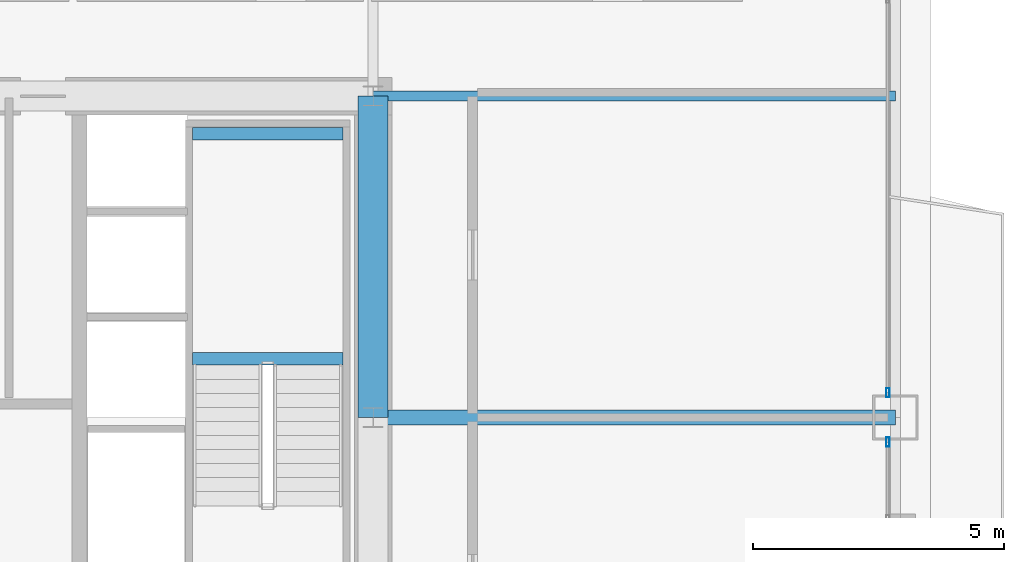
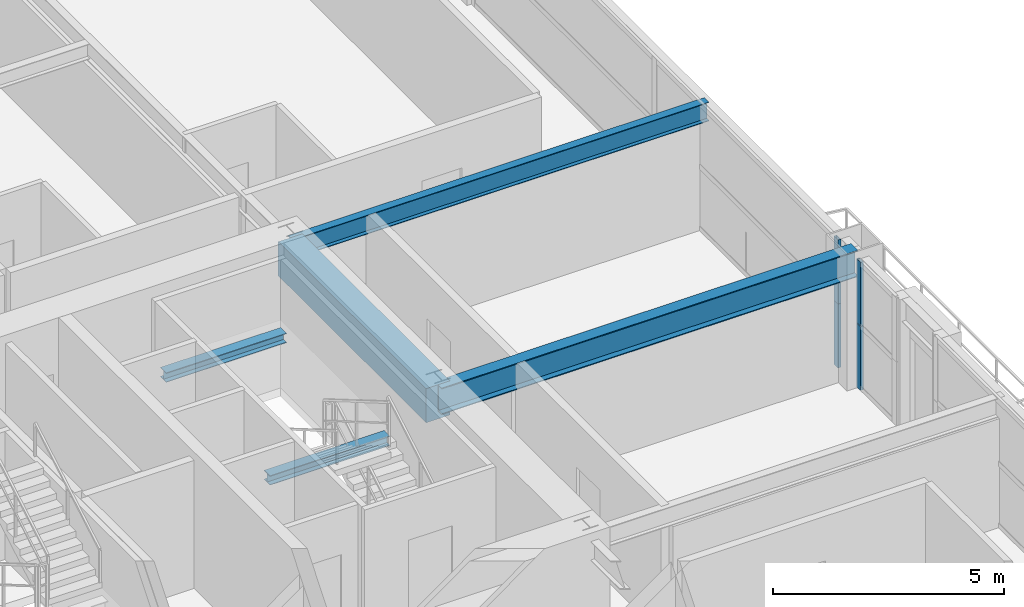
# One storey, part 22 of 43: 5 beams, 4 members, 2 elements without a shape of their own.
"""IFC4 building model written with IfcOpenShell, lengths in metres."""

from ifc_helpers import new_model, si_unit, direction, frame, origin, origin_2d, place, context, subcontext, project, spatial, rectangle, hollow_rectangle, i_section, extrude, source, transform, mapped, material, layer, layer_set, material_profile, profile_set, type_object, element, aggregate, save


model = new_model("IFC4")

# Units and contexts
model_context = context("Model", 3, precision=1e-05, world=origin(), true_north=direction((0.0, 1.0)))
body_context = subcontext(model_context, "Body", "Model", "MODEL_VIEW")
ifc_project = project(units=[si_unit("LENGTHUNIT", "METRE"), si_unit("AREAUNIT", "SQUARE_METRE"), si_unit("VOLUMEUNIT", "CUBIC_METRE"), si_unit("PLANEANGLEUNIT", "RADIAN"), si_unit("MASSUNIT", "GRAM", prefix="KILO"), si_unit("THERMODYNAMICTEMPERATUREUNIT", "KELVIN"), si_unit("POWERUNIT", "WATT")], contexts=[model_context])

# Site, building, storey
site_placement = place(None, origin())
site = spatial("IfcSite", under=ifc_project, at=site_placement, CompositionType="ELEMENT")
building_placement = place(site_placement, origin())
building = spatial("IfcBuilding", under=site, at=building_placement, Name="Yuzanri Waterfront Tower", CompositionType="ELEMENT")
storey_placement = place(building_placement, frame((0.0, 0.0, 159.60009765625)))
storey = spatial("IfcBuildingStorey", under=building, at=storey_placement, Name="L42", CompositionType="ELEMENT", Elevation=159.60009765625)

# Beams
ifc_material_1 = material(Name="Concrete C60", Category="concrete")
ifc_material_profile_1 = material_profile(ifc_material_1, rectangle(XDim=0.60009765625, YDim=0.89990234375, at=origin_2d()), Name="RC 600x900")
ifc_profile_set_1 = profile_set([ifc_material_profile_1], Name="Concrete C60")
beam_type_1 = type_object("IfcBeamType", Name="Core Coupling Lintel Concrete C60 600x900", PredefinedType="LINTEL", material=ifc_profile_set_1)
shared_shape_1 = source(origin(), body_context, "Body", "SweptSolid", [
    extrude(rectangle(XDim=0.60009765625, YDim=0.89990234375, at=origin_2d()), origin(), (0.0, 0.0, 1.0), 6.39990234375),
])
beam_1_placement = place(storey_placement, frame((50.199951171875, 25.800048828125, 2.929931640625), z_axis=(0.0, 1.0, 0.0), x_axis=(-1.0, 0.0, 0.0)))
element("IfcBeam", 1, at=beam_1_placement, inside=storey, type_object=beam_type_1, Name="L42 Core Tie Beam CE2", PredefinedType="LINTEL", context=body_context, shape_type="MappedRepresentation", body=[
    mapped(shared_shape_1, transform((0.0, 0.0, 0.0), scale=1.0)),
])
ifc_material_2 = material(Name="Steel Q355B", Category="steel")
ifc_material_profile_2 = material_profile(ifc_material_2, i_section(OverallWidth=0.300048828125, OverallDepth=0.699951171875, WebThickness=0.012939453125, FlangeThickness=0.02392578125, at=origin_2d()), Name="HN 700x300x13x24")
ifc_profile_set_2 = profile_set([ifc_material_profile_2], Name="Steel Q355B")
beam_type_2 = type_object("IfcBeamType", Name="Primary Floor Girder Q355B HN 700x300", PredefinedType="BEAM", material=ifc_profile_set_2)
shared_shape_2 = source(origin(), body_context, "Body", "SweptSolid", [
    extrude(i_section(OverallWidth=0.300048828125, OverallDepth=0.699951171875, WebThickness=0.012939453125, FlangeThickness=0.02392578125, at=origin_2d()), origin(), (0.0, 0.0, 1.0), 10.400146484375),
])
beam_2_placement = place(storey_placement, frame((50.199951171875, 25.800048828125, 3.02978515625), z_axis=(1.0, 0.0, 0.0), x_axis=(0.0, 1.0, 0.0)))
element("IfcBeam", 2, at=beam_2_placement, inside=storey, type_object=beam_type_2, Name="L42 East Grid Girder", PredefinedType="BEAM", context=body_context, shape_type="MappedRepresentation", body=[
    mapped(shared_shape_2, transform((0.0, 0.0, 0.0), scale=1.0)),
])
ifc_material_3 = material(Name="Steel Q355B", Category="steel")
ifc_material_profile_3 = material_profile(ifc_material_3, i_section(OverallWidth=0.199951171875, OverallDepth=0.5, WebThickness=0.010009765625, FlangeThickness=0.01611328125, at=origin_2d()), Name="HN 500x200x10x16")
ifc_profile_set_3 = profile_set([ifc_material_profile_3], Name="Steel Q355B")
beam_type_3 = type_object("IfcBeamType", Name="Secondary Floor Beam Q355B HN 500x200", PredefinedType="BEAM", material=ifc_profile_set_3)
shared_shape_3 = source(origin(), body_context, "Body", "SweptSolid", [
    extrude(i_section(OverallWidth=0.199951171875, OverallDepth=0.5, WebThickness=0.010009765625, FlangeThickness=0.01611328125, at=origin_2d()), origin(), (0.0, 0.0, 1.0), 10.400146484375),
])
beam_3_placement = place(storey_placement, frame((50.199951171875, 32.199951171875, 3.1298828125), z_axis=(1.0, 0.0, 0.0), x_axis=(0.0, 1.0, 0.0)))
element("IfcBeam", 3, at=beam_3_placement, inside=storey, type_object=beam_type_3, Name="L42 East-North Core Line Beam", PredefinedType="BEAM", context=body_context, shape_type="MappedRepresentation", body=[
    mapped(shared_shape_3, transform((0.0, 0.0, 0.0), scale=1.0)),
])

# Curtain wall, members
ifc_material_4 = material(Name="Anodized Architectural Bronze", Category="metal")
ifc_layer = layer(ifc_material_4, 0.159912109375)
ifc_layer_set = layer_set([ifc_layer], Name="Anodized Architectural Bronze")
curtain_wall_type = type_object("IfcCurtainWallType", Name="Anodized Bronze Hotel Upper-Tier Solar-Control Unitized Curtain Wall 7800", PredefinedType="NOTDEFINED", material=ifc_layer_set)
curtain_wall_1_placement = place(storey_placement, origin())
curtain_wall_1 = element("IfcCurtainWall", 4, at=curtain_wall_1_placement, inside=storey, type_object=curtain_wall_type, Name="L42 Curtain Wall CW-L42-EL2", PredefinedType="NOTDEFINED")
ifc_material_5 = material(Name="Anodized Architectural Bronze", Category="metal")
ifc_material_profile_4 = material_profile(ifc_material_5, hollow_rectangle(XDim=0.070068359375, YDim=0.179931640625, WallThickness=0.00390625, at=origin_2d()), Name="CWM 70x180")
ifc_profile_set_4 = profile_set([ifc_material_profile_4], Name="Anodized Architectural Bronze")
member_type = type_object("IfcMemberType", Name="Anodized Bronze Standard Curtain-Wall Mullion 70x180", PredefinedType="MULLION", material=ifc_profile_set_4)
shared_shape_4 = source(origin(), body_context, "Body", "SweptSolid", [
    extrude(hollow_rectangle(XDim=0.070068359375, YDim=0.179931640625, WallThickness=0.00390625, at=origin_2d()), origin(), (0.0, 0.0, 1.0), 1.68798828125),
])
member_1_placement = place(storey_placement, frame((60.449951171875, 25.31005859375, 0.0), z_axis=(0.0, 0.0, 1.0), x_axis=(1.0, 0.0, 0.0)))
member_1 = element("IfcMember", 5, at=member_1_placement, type_object=member_type, Name="CW-L42-EL2 Lower Mullion 01", PredefinedType="MULLION", context=body_context, shape_type="MappedRepresentation", body=[
    mapped(shared_shape_4, transform((0.0, 0.0, 0.0), scale=1.0)),
])
member_2_placement = place(storey_placement, frame((60.449951171875, 25.31005859375, 1.69189453125), z_axis=(0.0, 0.0, 1.0), x_axis=(1.0, 0.0, 0.0)))
member_2 = element("IfcMember", 6, at=member_2_placement, type_object=member_type, Name="CW-L42-EL2 Upper Mullion 01", PredefinedType="MULLION", context=body_context, shape_type="MappedRepresentation", body=[
    mapped(shared_shape_4, transform((0.0, 0.0, 0.0), scale=1.0)),
])
aggregate(curtain_wall_1, [member_1, member_2])

curtain_wall_2_placement = place(storey_placement, origin())
curtain_wall_2 = element("IfcCurtainWall", 7, at=curtain_wall_2_placement, inside=storey, type_object=curtain_wall_type, Name="L42 Curtain Wall CW-L42-ER", PredefinedType="NOTDEFINED")
member_3_placement = place(storey_placement, frame((60.449951171875, 26.2900390625, 0.0), z_axis=(0.0, 0.0, 1.0), x_axis=(1.0, 0.0, 0.0)))
member_3 = element("IfcMember", 8, at=member_3_placement, type_object=member_type, Name="CW-L42-ER Lower Mullion 00", PredefinedType="MULLION", context=body_context, shape_type="MappedRepresentation", body=[
    mapped(shared_shape_4, transform((0.0, 0.0, 0.0), scale=1.0)),
])
member_4_placement = place(storey_placement, frame((60.449951171875, 26.2900390625, 1.69189453125), z_axis=(0.0, 0.0, 1.0), x_axis=(1.0, 0.0, 0.0)))
member_4 = element("IfcMember", 9, at=member_4_placement, type_object=member_type, Name="CW-L42-ER Upper Mullion 00", PredefinedType="MULLION", context=body_context, shape_type="MappedRepresentation", body=[
    mapped(shared_shape_4, transform((0.0, 0.0, 0.0), scale=1.0)),
])
aggregate(curtain_wall_2, [member_3, member_4])

# Beams
ifc_material_6 = material(Name="Steel Q355B", Category="steel")
ifc_material_profile_5 = material_profile(ifc_material_6, i_section(OverallWidth=0.25, OverallDepth=0.25, WebThickness=0.009033203125, FlangeThickness=0.013916015625, at=origin_2d()), Name="HW 250x250x9x14")
ifc_profile_set_5 = profile_set([ifc_material_profile_5], Name="Steel Q355B")
beam_type_4 = type_object("IfcBeamType", Name="Stair Landing Support Beam Q355B HW 250x250", PredefinedType="BEAM", material=ifc_profile_set_5)
shared_shape_5 = source(origin(), body_context, "Body", "SweptSolid", [
    extrude(i_section(OverallWidth=0.25, OverallDepth=0.25, WebThickness=0.009033203125, FlangeThickness=0.013916015625, at=origin_2d()), origin(), (0.0, 0.0, 1.0), 3.0),
])
for number, where, z_axis, x_axis, name in (
    (10, (46.60009765625, 26.969970703125, 1.474853515625), (1.0, 0.0, 0.0), (0.0, 1.0, 0.0), "L42 Stair Landing Support Beam ST-02-L42-L1-1"),
    (11, (46.60009765625, 31.449951171875, 1.474853515625), (1.0, 0.0, 0.0), (0.0, 1.0, 0.0), "L42 Stair Landing Support Beam ST-02-L42-L1-2"),
):
    element("IfcBeam", number, at=place(storey_placement, frame(where, z_axis=z_axis, x_axis=x_axis)), inside=storey, type_object=beam_type_4, Name=name, PredefinedType="BEAM", context=body_context, shape_type="MappedRepresentation", body=[
        mapped(shared_shape_5, transform((0.0, 0.0, 0.0), scale=1.0)),
    ])

save(model, "model.ifc")
